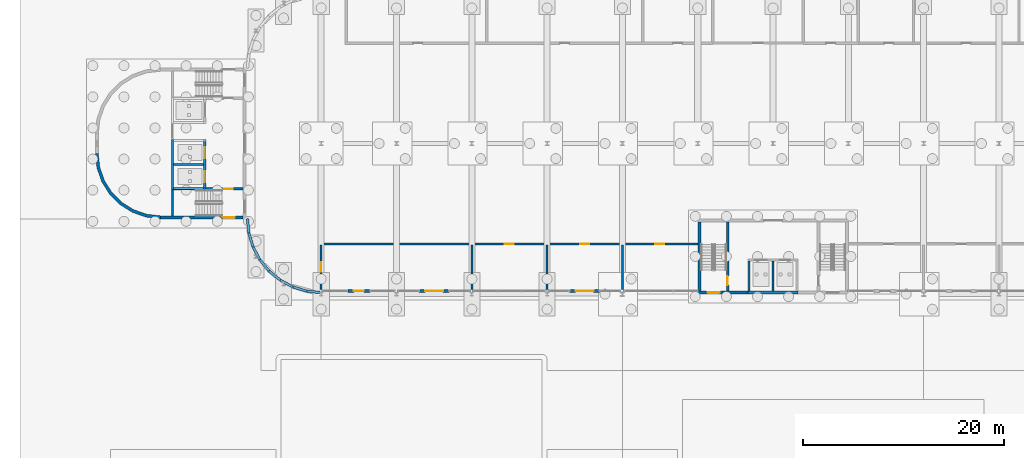
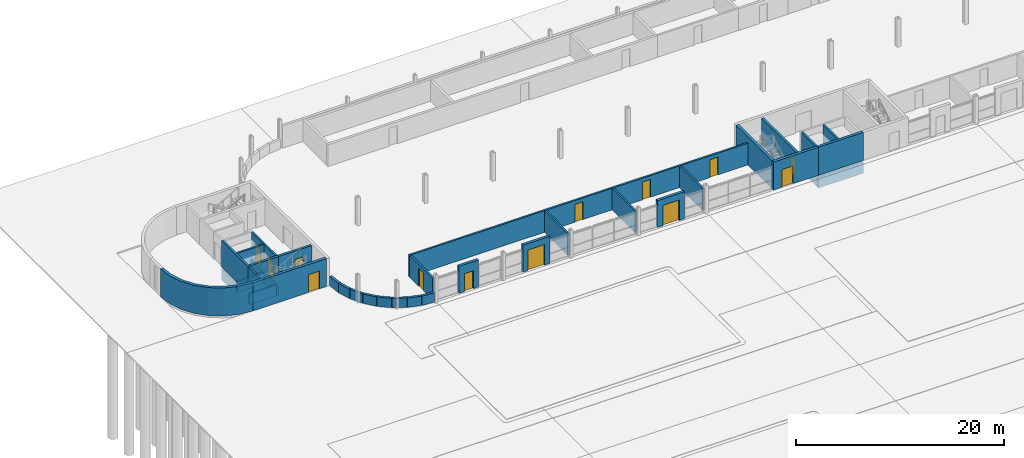
# One storey, part 84 of 130: 36 walls, 13 doors, 13 openings.
"""IFC4 building model written with IfcOpenShell, lengths in metres."""

from ifc_helpers import new_model, si_unit, direction, frame, frame_2d, origin, place, context, subcontext, project, spatial, polyline, rectangle, outline, extrude, material, layer, layer_set, type_object, element, fill, save


model = new_model("IFC4")

# Units and contexts
model_context = context("Model", 3, precision=1e-05, world=origin(), true_north=direction((0.0, 1.0)))
body_context = subcontext(model_context, "Body", "Model", "MODEL_VIEW")
ifc_project = project(units=[si_unit("LENGTHUNIT", "METRE"), si_unit("AREAUNIT", "SQUARE_METRE"), si_unit("VOLUMEUNIT", "CUBIC_METRE"), si_unit("PLANEANGLEUNIT", "RADIAN"), si_unit("MASSUNIT", "GRAM", prefix="KILO")], contexts=[model_context])

# Site, building, storey
site_placement = place(None, origin())
site = spatial("IfcSite", under=ifc_project, at=site_placement, CompositionType="ELEMENT")
building_placement = place(site_placement, origin())
building = spatial("IfcBuilding", under=site, at=building_placement, Name="Parallax Yard Mobility Hub", CompositionType="ELEMENT")
storey_placement = place(building_placement, origin())
storey = spatial("IfcBuildingStorey", under=building, at=storey_placement, Name="L00", CompositionType="ELEMENT", Elevation=0.0)

# Wall, opening, door
ifc_material_1 = material(Name="Concrete fc' 35 MPa", Category="concrete")
ifc_layer_1 = layer(ifc_material_1, 0.300048828125)
ifc_layer_set_1 = layer_set([ifc_layer_1], Name="Concrete fc' 35 MPa core wall 300")
wall_type_1 = type_object("IfcWallType", Name="Concrete fc' 35 MPa core wall 300", PredefinedType="SHEAR", material=ifc_layer_set_1)
wall_1_placement = place(storey_placement, frame((22.199951171875, 120.14990234375, 0.0), z_axis=(0.0, 0.0, 1.0), x_axis=(-1.0, 0.0, 0.0)))
wall_1 = element("IfcWall", 1, at=wall_1_placement, inside=storey, type_object=wall_type_1, Name="Core C-W west-side end wall level L00", PredefinedType="SHEAR", context=body_context, shape_type="SweptSolid", body=[
    extrude(rectangle(XDim=8.199951171875, YDim=0.300048828125, at=frame_2d((4.10009765625, 0.0))), origin(), (0.0, 0.0, 1.0), 3.300048828125),
])
opening_1_placement = place(wall_1_placement, frame((0.800048828125, 0.0, 0.0)))
opening_1 = element("IfcOpeningElement", 2, at=opening_1_placement, cuts=wall_1, Name="Opening L00-D709", PredefinedType="OPENING", context=body_context, shape_type="SweptSolid", body=[
    extrude(rectangle(XDim=1.199951171875, YDim=2.10009765625, at=frame_2d((0.60009765625, 1.050048828125))), frame((0.0, 0.16015625, 0.0), z_axis=(0.0, -1.0, 0.0), x_axis=(1.0, 0.0, 0.0)), (0.0, 0.0, 1.0), 0.320068359375),
])
ifc_material_2 = material(Name="Hollow metal steel door and frame", Category="steel")
door_type_1 = type_object("IfcDoorType", Name="Core door 1200 x 2100 FD90", OperationType="NOTDEFINED", PredefinedType="DOOR", material=ifc_material_2)
door_1_placement = place(opening_1_placement, origin())
door_1 = element("IfcDoor", 3, at=door_1_placement, inside=storey, type_object=door_type_1, Name="Stair exit door L00-D709, core C-W level L00", OperationType="SINGLE_SWING_RIGHT", OverallHeight=2.10009765625, OverallWidth=1.199951171875, PredefinedType="DOOR", context=body_context, shape_type="SweptSolid", body=[
    extrude(rectangle(XDim=1.199951171875, YDim=2.10009765625, at=frame_2d((0.60009765625, 1.050048828125))), frame((0.0, 0.02490234375, 0.0), z_axis=(0.0, -1.0, 0.0), x_axis=(1.0, 0.0, 0.0)), (0.0, 0.0, 1.0), 0.050048828125),
])
fill(opening_1, door_1)

# Walls
wall_2_placement = place(storey_placement, origin())
element("IfcWall", 4, at=wall_2_placement, inside=storey, type_object=wall_type_1, Name="Core C-W rounded corner west level L00", PredefinedType="SHEAR", context=body_context, shape_type="SweptSolid", body=[
    extrude(outline(polyline([(14.0, 120.0), (12.5537109375, 120.1630859375), (11.1796875, 120.643798828125), (9.947265625, 121.418212890625), (8.918212890625, 122.447265625), (8.143798828125, 123.6796875), (7.6630859375, 125.0537109375), (7.5, 126.5), (7.800048828125, 126.5), (7.955322265625, 125.120361328125), (8.4140625, 123.809814453125), (9.152587890625, 122.634521484375), (10.134521484375, 121.652587890625), (11.309814453125, 120.9140625), (12.620361328125, 120.455322265625), (14.0, 120.300048828125), (14.0, 120.0)])), origin(), (0.0, 0.0, 1.0), 3.300048828125),
])
wall_3_placement = place(storey_placement, frame((77.5, 112.64990234375, 0.0), z_axis=(0.0, 0.0, 1.0), x_axis=(-1.0, 0.0, 0.0)))
element("IfcWall", 5, at=wall_3_placement, inside=storey, type_object=wall_type_1, Name="Core C-N1 back wall part 2 level L00", PredefinedType="SHEAR", context=body_context, shape_type="SweptSolid", body=[
    extrude(rectangle(XDim=5.0, YDim=0.300048828125, at=frame_2d((2.5, 0.0))), origin(), (0.0, 0.0, 1.0), 3.300048828125),
])

# Wall, opening, door
wall_4_placement = place(storey_placement, frame((72.5, 112.64990234375, 0.0), z_axis=(0.0, 0.0, 1.0), x_axis=(-1.0, 0.0, 0.0)))
wall_4 = element("IfcWall", 6, at=wall_4_placement, inside=storey, type_object=wall_type_1, Name="Core C-N1 back wall part 3 level L00", PredefinedType="SHEAR", context=body_context, shape_type="SweptSolid", body=[
    extrude(rectangle(XDim=5.0, YDim=0.300048828125, at=frame_2d((2.5, 0.0))), origin(), (0.0, 0.0, 1.0), 3.300048828125),
])
opening_2_placement = place(wall_4_placement, frame((2.824951171875, 0.0, 0.0)))
opening_2 = element("IfcOpeningElement", 7, at=opening_2_placement, cuts=wall_4, Name="Opening L00-D717", PredefinedType="OPENING", context=body_context, shape_type="SweptSolid", body=[
    extrude(rectangle(XDim=1.199951171875, YDim=2.10009765625, at=frame_2d((0.60009765625, 1.050048828125))), frame((0.0, 0.16015625, 0.0), z_axis=(0.0, -1.0, 0.0), x_axis=(1.0, 0.0, 0.0)), (0.0, 0.0, 1.0), 0.320068359375),
])
door_2_placement = place(opening_2_placement, origin())
door_2 = element("IfcDoor", 8, at=door_2_placement, inside=storey, type_object=door_type_1, Name="Stair exit door L00-D717, core C-N1 level L00", OperationType="SINGLE_SWING_RIGHT", OverallHeight=2.10009765625, OverallWidth=1.199951171875, PredefinedType="DOOR", context=body_context, shape_type="SweptSolid", body=[
    extrude(rectangle(XDim=1.199951171875, YDim=2.10009765625, at=frame_2d((0.60009765625, 1.050048828125))), frame((0.0, 0.02490234375, 0.0), z_axis=(0.0, -1.0, 0.0), x_axis=(1.0, 0.0, 0.0)), (0.0, 0.0, 1.0), 0.050048828125),
])
fill(opening_2, door_2)

# Walls
wall_5_placement = place(storey_placement, frame((67.64990234375, 119.699951171875, 0.0), z_axis=(0.0, 0.0, 1.0), x_axis=(0.0, -1.0, 0.0)))
element("IfcWall", 9, at=wall_5_placement, inside=storey, type_object=wall_type_1, Name="Core C-N1 east-side end wall level L00", PredefinedType="SHEAR", context=body_context, shape_type="SweptSolid", body=[
    extrude(rectangle(XDim=6.89990234375, YDim=0.300048828125, at=frame_2d((3.449951171875, 0.0))), origin(), (0.0, 0.0, 1.0), 3.300048828125),
])
wall_6_placement = place(storey_placement, frame((77.5, 112.64990234375, -1.5), z_axis=(0.0, 0.0, 1.0), x_axis=(-1.0, 0.0, 0.0)))
element("IfcWall", 10, at=wall_6_placement, inside=storey, type_object=wall_type_1, Name="Core C-N1 lift pit wall back (shaft group 1)", PredefinedType="SHEAR", context=body_context, shape_type="SweptSolid", body=[
    extrude(rectangle(XDim=5.0, YDim=0.300048828125, at=frame_2d((2.5, 0.0))), origin(), (0.0, 0.0, 1.0), 1.300048828125),
])

# Wall, openings, doors
ifc_layer_2 = layer(ifc_material_1, 0.199951171875)
ifc_layer_set_2 = layer_set([ifc_layer_2], Name="Concrete fc' 35 MPa internal core wall 200")
wall_type_2 = type_object("IfcWallType", Name="Concrete fc' 35 MPa internal core wall 200", PredefinedType="STANDARD", material=ifc_layer_set_2)
wall_7_placement = place(storey_placement, frame((18.39990234375, 123.10009765625, 0.0), z_axis=(0.0, 0.0, 1.0), x_axis=(0.0, 1.0, 0.0)))
wall_7 = element("IfcWall", 11, at=wall_7_placement, inside=storey, type_object=wall_type_2, Name="Core C-W lift front 1 part 1 level L00", PredefinedType="STANDARD", context=body_context, shape_type="SweptSolid", body=[
    extrude(rectangle(XDim=4.599853515625, YDim=0.199951171875, at=frame_2d((2.2998046875, 0.0))), origin(), (0.0, 0.0, 1.0), 3.10009765625),
])
opening_3_placement = place(wall_7_placement, frame((0.550048828125, 0.0, 0.0)))
opening_3 = element("IfcOpeningElement", 12, at=opening_3_placement, cuts=wall_7, Name="Opening L00-D705", PredefinedType="OPENING", context=body_context, shape_type="SweptSolid", body=[
    extrude(rectangle(XDim=1.10009765625, YDim=2.10009765625, at=frame_2d((0.550048828125, 1.050048828125))), frame((0.0, 0.10986328125, 0.0), z_axis=(0.0, -1.0, 0.0), x_axis=(1.0, 0.0, 0.0)), (0.0, 0.0, 1.0), 0.219970703125),
])
opening_4_placement = place(wall_7_placement, frame((2.949951171875, 0.0, 0.0)))
opening_4 = element("IfcOpeningElement", 13, at=opening_4_placement, cuts=wall_7, Name="Opening L00-D706", PredefinedType="OPENING", context=body_context, shape_type="SweptSolid", body=[
    extrude(rectangle(XDim=1.10009765625, YDim=2.10009765625, at=frame_2d((0.550048828125, 1.050048828125))), frame((0.0, 0.10986328125, 0.0), z_axis=(0.0, -1.0, 0.0), x_axis=(1.0, 0.0, 0.0)), (0.0, 0.0, 1.0), 0.219970703125),
])
ifc_material_3 = material(Name="Stainless steel sliding door and frame", Category="steel")
door_type_2 = type_object("IfcDoorType", Name="Lift landing door 1100 x 2100 FD90", OperationType="DOUBLE_DOOR_SLIDING", PredefinedType="DOOR", material=ifc_material_3)
door_3_placement = place(opening_3_placement, origin())
door_3 = element("IfcDoor", 14, at=door_3_placement, inside=storey, type_object=door_type_2, Name="Lift landing door L00-D705, core C-W level L00", OperationType="DOUBLE_DOOR_SLIDING", OverallHeight=2.10009765625, OverallWidth=1.10009765625, PredefinedType="DOOR", context=body_context, shape_type="SweptSolid", body=[
    extrude(rectangle(XDim=1.10009765625, YDim=2.10009765625, at=frame_2d((0.550048828125, 1.050048828125))), frame((0.0, 0.02490234375, 0.0), z_axis=(0.0, -1.0, 0.0), x_axis=(1.0, 0.0, 0.0)), (0.0, 0.0, 1.0), 0.050048828125),
])
fill(opening_3, door_3)
door_4_placement = place(opening_4_placement, origin())
door_4 = element("IfcDoor", 15, at=door_4_placement, inside=storey, type_object=door_type_2, Name="Lift landing door L00-D706, core C-W level L00", OperationType="DOUBLE_DOOR_SLIDING", OverallHeight=2.10009765625, OverallWidth=1.10009765625, PredefinedType="DOOR", context=body_context, shape_type="SweptSolid", body=[
    extrude(rectangle(XDim=1.10009765625, YDim=2.10009765625, at=frame_2d((0.550048828125, 1.050048828125))), frame((0.0, 0.02490234375, 0.0), z_axis=(0.0, -1.0, 0.0), x_axis=(1.0, 0.0, 0.0)), (0.0, 0.0, 1.0), 0.050048828125),
])
fill(opening_4, door_4)

# Walls
wall_8_placement = place(storey_placement, frame((18.300048828125, 125.39990234375, 0.0), z_axis=(0.0, 0.0, 1.0), x_axis=(-1.0, 0.0, 0.0)))
element("IfcWall", 16, at=wall_8_placement, inside=storey, type_object=wall_type_2, Name="Core C-W lift wall 1 part 1 level L00", PredefinedType="STANDARD", context=body_context, shape_type="SweptSolid", body=[
    extrude(rectangle(XDim=3.0, YDim=0.199951171875, at=frame_2d((1.5, 0.0))), origin(), (0.0, 0.0, 1.0), 3.10009765625),
])
wall_9_placement = place(storey_placement, frame((15.199951171875, 120.300048828125, 0.0), z_axis=(0.0, 0.0, 1.0), x_axis=(0.0, 1.0, 0.0)))
element("IfcWall", 17, at=wall_9_placement, inside=storey, type_object=wall_type_2, Name="Core C-W plant wall 1 part 1 level L00", PredefinedType="STANDARD", context=body_context, shape_type="SweptSolid", body=[
    extrude(rectangle(XDim=2.550048828125, YDim=0.199951171875, at=frame_2d((1.27490234375, 0.0))), origin(), (0.0, 0.0, 1.0), 3.10009765625),
])
wall_10_placement = place(storey_placement, frame((15.199951171875, 122.85009765625, 0.0), z_axis=(0.0, 0.0, 1.0), x_axis=(0.0, 1.0, 0.0)))
element("IfcWall", 18, at=wall_10_placement, inside=storey, type_object=wall_type_2, Name="Core C-W plant wall 2 part 2 level L00", PredefinedType="STANDARD", context=body_context, shape_type="SweptSolid", body=[
    extrude(rectangle(XDim=5.0498046875, YDim=0.199951171875, at=frame_2d((2.52490234375, 0.0))), origin(), (0.0, 0.0, 1.0), 3.10009765625),
])
wall_11_placement = place(storey_placement, frame((18.39990234375, 122.89990234375, -1.5), z_axis=(0.0, 0.0, 1.0), x_axis=(0.0, 1.0, 0.0)))
element("IfcWall", 19, at=wall_11_placement, inside=storey, type_object=wall_type_2, Name="Core C-W lift pit wall front (shaft group 1)", PredefinedType="STANDARD", context=body_context, shape_type="SweptSolid", body=[
    extrude(rectangle(XDim=5.0, YDim=0.199951171875, at=frame_2d((2.5, 0.0))), origin(), (0.0, 0.0, 1.0), 1.300048828125),
])
for number, where, z_axis, x_axis, name in (
    (20, (18.300048828125, 123.0, -1.5), (0.0, 0.0, 1.0), (-1.0, 0.0, 0.0), "Core C-W lift pit wall side 1 (shaft group 1)"),
    (21, (18.300048828125, 125.39990234375, -1.5), (0.0, 0.0, 1.0), (-1.0, 0.0, 0.0), "Core C-W lift pit wall side 2 (shaft group 1)"),
):
    element("IfcWall", number, at=place(storey_placement, frame(where, z_axis=z_axis, x_axis=x_axis)), inside=storey, type_object=wall_type_2, Name=name, PredefinedType="STANDARD", context=body_context, shape_type="SweptSolid", body=[
        extrude(rectangle(XDim=3.0, YDim=0.199951171875, at=frame_2d((1.5, 0.0))), origin(), (0.0, 0.0, 1.0), 1.300048828125),
    ])
wall_12_placement = place(storey_placement, frame((15.199951171875, 122.89990234375, -1.5), z_axis=(0.0, 0.0, 1.0), x_axis=(0.0, 1.0, 0.0)))
element("IfcWall", 22, at=wall_12_placement, inside=storey, type_object=wall_type_2, Name="Core C-W lift pit wall back (shaft group 1)", PredefinedType="STANDARD", context=body_context, shape_type="SweptSolid", body=[
    extrude(rectangle(XDim=5.0, YDim=0.199951171875, at=frame_2d((2.5, 0.0))), origin(), (0.0, 0.0, 1.0), 1.300048828125),
])
for number, where, z_axis, x_axis, name in (
    (23, (75.0, 115.800048828125, 0.0), (0.0, 0.0, 1.0), (0.0, -1.0, 0.0), "Core C-N1 lift wall 2 part 2 level L00"),
    (24, (72.60009765625, 115.800048828125, 0.0), (0.0, 0.0, 1.0), (0.0, -1.0, 0.0), "Core C-N1 lift wall 3 part 3 level L00"),
):
    element("IfcWall", number, at=place(storey_placement, frame(where, z_axis=z_axis, x_axis=x_axis)), inside=storey, type_object=wall_type_2, Name=name, PredefinedType="STANDARD", context=body_context, shape_type="SweptSolid", body=[
        extrude(rectangle(XDim=3.0, YDim=0.199951171875, at=frame_2d((1.5, 0.0))), origin(), (0.0, 0.0, 1.0), 3.10009765625),
    ])
wall_13_placement = place(storey_placement, frame((72.60009765625, 115.800048828125, -1.5), z_axis=(0.0, 0.0, 1.0), x_axis=(0.0, -1.0, 0.0)))
element("IfcWall", 25, at=wall_13_placement, inside=storey, type_object=wall_type_2, Name="Core C-N1 lift pit wall side 3 (shaft group 1)", PredefinedType="STANDARD", context=body_context, shape_type="SweptSolid", body=[
    extrude(rectangle(XDim=3.0, YDim=0.199951171875, at=frame_2d((1.5, 0.0))), origin(), (0.0, 0.0, 1.0), 1.300048828125),
])

# Wall, opening, door
ifc_layer_3 = layer(ifc_material_1, 0.25)
ifc_layer_set_3 = layer_set([ifc_layer_3], Name="Concrete fc' 35 MPa stair enclosure wall 250")
wall_type_3 = type_object("IfcWallType", Name="Concrete fc' 35 MPa stair enclosure wall 250", PredefinedType="STANDARD", material=ifc_layer_set_3)
wall_14_placement = place(storey_placement, frame((22.199951171875, 122.97509765625, 0.0), z_axis=(0.0, 0.0, 1.0), x_axis=(-1.0, 0.0, 0.0)))
wall_14 = element("IfcWall", 26, at=wall_14_placement, inside=storey, type_object=wall_type_3, Name="Core C-W stair 1 partition 1 part 1 level L00", PredefinedType="STANDARD", context=body_context, shape_type="SweptSolid", body=[
    extrude(rectangle(XDim=3.699951171875, YDim=0.25, at=frame_2d((1.85009765625, 0.0))), origin(), (0.0, 0.0, 1.0), 3.10009765625),
])
opening_5_placement = place(wall_14_placement, frame((1.0, 0.0, 0.0)))
opening_5 = element("IfcOpeningElement", 27, at=opening_5_placement, cuts=wall_14, Name="Opening L00-D703", PredefinedType="OPENING", context=body_context, shape_type="SweptSolid", body=[
    extrude(rectangle(XDim=0.89990234375, YDim=2.10009765625, at=frame_2d((0.449951171875, 1.050048828125))), frame((0.0, 0.135009765625, 0.0), z_axis=(0.0, -1.0, 0.0), x_axis=(1.0, 0.0, 0.0)), (0.0, 0.0, 1.0), 0.27001953125),
])
door_type_3 = type_object("IfcDoorType", Name="Core door 900 x 2100 FD90", OperationType="NOTDEFINED", PredefinedType="DOOR", material=ifc_material_2)
door_5_placement = place(opening_5_placement, origin())
door_5 = element("IfcDoor", 28, at=door_5_placement, inside=storey, type_object=door_type_3, Name="Stair lobby door L00-D703, core C-W level L00", OperationType="SINGLE_SWING_LEFT", OverallHeight=2.10009765625, OverallWidth=0.89990234375, PredefinedType="DOOR", context=body_context, shape_type="SweptSolid", body=[
    extrude(rectangle(XDim=0.89990234375, YDim=2.10009765625, at=frame_2d((0.449951171875, 1.050048828125))), frame((0.0, 0.02490234375, 0.0), z_axis=(0.0, -1.0, 0.0), x_axis=(1.0, 0.0, 0.0)), (0.0, 0.0, 1.0), 0.050048828125),
])
fill(opening_5, door_5)

# Wall
wall_15_placement = place(storey_placement, frame((18.5, 122.97509765625, 0.0), z_axis=(0.0, 0.0, 1.0), x_axis=(-1.0, 0.0, 0.0)))
element("IfcWall", 29, at=wall_15_placement, inside=storey, type_object=wall_type_3, Name="Core C-W stair 1 partition 2 part 2 level L00", PredefinedType="STANDARD", context=body_context, shape_type="SweptSolid", body=[
    extrude(rectangle(XDim=3.199951171875, YDim=0.25, at=frame_2d((1.60009765625, 0.0))), origin(), (0.0, 0.0, 1.0), 3.10009765625),
])

# Wall, opening, door
wall_16_placement = place(storey_placement, frame((70.47509765625, 112.800048828125, 0.0), z_axis=(0.0, 0.0, 1.0), x_axis=(0.0, 1.0, 0.0)))
wall_16 = element("IfcWall", 30, at=wall_16_placement, inside=storey, type_object=wall_type_3, Name="Core C-N1 stair 2 partition level L00", PredefinedType="STANDARD", context=body_context, shape_type="SweptSolid", body=[
    extrude(rectangle(XDim=6.89990234375, YDim=0.25, at=frame_2d((3.449951171875, 0.0))), origin(), (0.0, 0.0, 1.0), 3.10009765625),
])
opening_6_placement = place(wall_16_placement, frame((0.60009765625, 0.0, 0.0)))
opening_6 = element("IfcOpeningElement", 31, at=opening_6_placement, cuts=wall_16, Name="Opening L00-D713", PredefinedType="OPENING", context=body_context, shape_type="SweptSolid", body=[
    extrude(rectangle(XDim=0.89990234375, YDim=2.10009765625, at=frame_2d((0.449951171875, 1.050048828125))), frame((0.0, 0.135009765625, 0.0), z_axis=(0.0, -1.0, 0.0), x_axis=(1.0, 0.0, 0.0)), (0.0, 0.0, 1.0), 0.27001953125),
])
door_6_placement = place(opening_6_placement, origin())
door_6 = element("IfcDoor", 32, at=door_6_placement, inside=storey, type_object=door_type_3, Name="Stair lobby door L00-D713, core C-N1 level L00", OperationType="SINGLE_SWING_RIGHT", OverallHeight=2.10009765625, OverallWidth=0.89990234375, PredefinedType="DOOR", context=body_context, shape_type="SweptSolid", body=[
    extrude(rectangle(XDim=0.89990234375, YDim=2.10009765625, at=frame_2d((0.449951171875, 1.050048828125))), frame((0.0, 0.02490234375, 0.0), z_axis=(0.0, -1.0, 0.0), x_axis=(1.0, 0.0, 0.0)), (0.0, 0.0, 1.0), 0.050048828125),
])
fill(opening_6, door_6)

# Walls
ifc_layer_4 = layer(ifc_material_1, 0.25)
ifc_layer_set_4 = layer_set([ifc_layer_4], Name="Deck-edge barrier wall, Concrete fc' 35 MPa precast, 250")
wall_type_4 = type_object("IfcWallType", Name="Deck-edge barrier wall, Concrete fc' 35 MPa precast, 250", PredefinedType="SOLIDWALL", material=ifc_layer_set_4)
wall_17_placement = place(storey_placement, frame((22.651123046875, 120.009765625, 0.0), z_axis=(0.0, 0.0, 1.0), x_axis=(0.098664443357, -0.995120760319, 0.0)))
element("IfcWall", 33, at=wall_17_placement, inside=storey, type_object=wall_type_4, Name="Deck-edge barrier wall bay 72-1 level L00", PredefinedType="SOLIDWALL", context=body_context, shape_type="SweptSolid", body=[
    extrude(rectangle(XDim=1.440185546875, YDim=0.25, at=frame_2d((0.72021484375, 0.0))), origin(), (0.0, 0.0, 1.0), 1.10009765625),
])
wall_18_placement = place(storey_placement, frame((22.798828125, 118.548583984375, 0.0), z_axis=(0.0, 0.0, 1.0), x_axis=(0.290679627319, -0.956820439927, 0.0)))
element("IfcWall", 34, at=wall_18_placement, inside=storey, type_object=wall_type_4, Name="Deck-edge barrier wall bay 72-2 level L00", PredefinedType="SOLIDWALL", context=body_context, shape_type="SweptSolid", body=[
    extrude(rectangle(XDim=1.4111328125, YDim=0.25, at=frame_2d((0.70556640625, 0.0))), origin(), (0.0, 0.0, 1.0), 1.10009765625),
])
wall_19_placement = place(storey_placement, frame((23.22021484375, 117.172119140625, 0.0), z_axis=(0.0, 0.0, 1.0), x_axis=(0.471683538305, -0.881767905796, 0.0)))
element("IfcWall", 35, at=wall_19_placement, inside=storey, type_object=wall_type_4, Name="Deck-edge barrier wall bay 72-3 level L00", PredefinedType="SOLIDWALL", context=body_context, shape_type="SweptSolid", body=[
    extrude(rectangle(XDim=1.410888671875, YDim=0.25, at=frame_2d((0.70556640625, 0.0))), origin(), (0.0, 0.0, 1.0), 1.10009765625),
])
wall_20_placement = place(storey_placement, frame((23.901611328125, 115.904296875, 0.0), z_axis=(0.0, 0.0, 1.0), x_axis=(0.634602902421, -0.772838376531, 0.0)))
element("IfcWall", 36, at=wall_20_placement, inside=storey, type_object=wall_type_4, Name="Deck-edge barrier wall bay 72-4 level L00", PredefinedType="SOLIDWALL", context=body_context, shape_type="SweptSolid", body=[
    extrude(rectangle(XDim=1.4111328125, YDim=0.25, at=frame_2d((0.70556640625, 0.0))), origin(), (0.0, 0.0, 1.0), 1.10009765625),
])
for number, where, z_axis, x_axis, name in (
    (37, (24.8173828125, 114.793701171875, 0.0), (0.0, 0.0, 1.0), (0.773077721596, -0.634311308722, 0.0), "Deck-edge barrier wall bay 72-5 level L00"),
    (38, (25.93212890625, 113.8828125, 0.0), (0.0, 0.0, 1.0), (0.882022197163, -0.471207856165, 0.0), "Deck-edge barrier wall bay 72-6 level L00"),
):
    element("IfcWall", number, at=place(storey_placement, frame(where, z_axis=z_axis, x_axis=x_axis)), inside=storey, type_object=wall_type_4, Name=name, PredefinedType="SOLIDWALL", context=body_context, shape_type="SweptSolid", body=[
        extrude(rectangle(XDim=1.410888671875, YDim=0.25, at=frame_2d((0.70556640625, 0.0))), origin(), (0.0, 0.0, 1.0), 1.10009765625),
    ])
wall_21_placement = place(storey_placement, frame((27.203125, 113.20703125, 0.0), z_axis=(0.0, 0.0, 1.0), x_axis=(0.956979282244, -0.290156256793, 0.0)))
element("IfcWall", 39, at=wall_21_placement, inside=storey, type_object=wall_type_4, Name="Deck-edge barrier wall bay 72-7 level L00", PredefinedType="SOLIDWALL", context=body_context, shape_type="SweptSolid", body=[
    extrude(rectangle(XDim=1.4111328125, YDim=0.25, at=frame_2d((0.70556640625, 0.0))), origin(), (0.0, 0.0, 1.0), 1.10009765625),
])
wall_22_placement = place(storey_placement, frame((28.58154296875, 112.7919921875, 0.0), z_axis=(0.0, 0.0, 1.0), x_axis=(0.995171399928, -0.098152354868, 0.0)))
element("IfcWall", 40, at=wall_22_placement, inside=storey, type_object=wall_type_4, Name="Deck-edge barrier wall bay 72-8 level L00", PredefinedType="SOLIDWALL", context=body_context, shape_type="SweptSolid", body=[
    extrude(rectangle(XDim=1.305908203125, YDim=0.25, at=frame_2d((0.65283203125, 0.0))), origin(), (0.0, 0.0, 1.0), 1.10009765625),
])

# Wall, opening, door
ifc_layer_5 = layer(ifc_material_1, 0.300048828125)
ifc_layer_set_5 = layer_set([ifc_layer_5], Name="Entrance portal wall, Concrete fc' 35 MPa precast, 300")
wall_type_5 = type_object("IfcWallType", Name="Entrance portal wall, Concrete fc' 35 MPa precast, 300", PredefinedType="SOLIDWALL", material=ifc_layer_set_5)
wall_23_placement = place(storey_placement, frame((32.65087890625, 112.800048828125, 0.0), z_axis=(0.0, 0.0, 1.0), x_axis=(1.0, 0.0, 0.0)))
wall_23 = element("IfcWall", 41, at=wall_23_placement, inside=storey, type_object=wall_type_5, Name="Staff entrance portal wall bay 1 level L00", PredefinedType="SOLIDWALL", context=body_context, shape_type="SweptSolid", body=[
    extrude(rectangle(XDim=2.19970703125, YDim=0.300048828125, at=frame_2d((1.099853515625, 0.0))), origin(), (0.0, 0.0, 1.0), 3.159912109375),
])
opening_7_placement = place(wall_23_placement, frame((0.60009765625, 0.0, 0.0)))
opening_7 = element("IfcOpeningElement", 42, at=opening_7_placement, cuts=wall_23, Name="Opening L00-D001", PredefinedType="OPENING", context=body_context, shape_type="SweptSolid", body=[
    extrude(rectangle(XDim=1.0, YDim=2.10009765625, at=frame_2d((0.5, 1.050048828125))), frame((0.0, 0.16015625, 0.0), z_axis=(0.0, -1.0, 0.0), x_axis=(1.0, 0.0, 0.0)), (0.0, 0.0, 1.0), 0.320068359375),
])
ifc_material_4 = material(Name="Aluminium framed glazed door", Category="aluminium")
door_type_4 = type_object("IfcDoorType", Name="Staff entrance door, single leaf 1000 x 2100", OperationType="NOTDEFINED", PredefinedType="DOOR", material=ifc_material_4)
door_7_placement = place(opening_7_placement, origin())
door_7 = element("IfcDoor", 43, at=door_7_placement, inside=storey, type_object=door_type_4, Name="Staff entrance door L00-D001", OperationType="SINGLE_SWING_RIGHT", OverallHeight=2.10009765625, OverallWidth=1.0, PredefinedType="DOOR", context=body_context, shape_type="SweptSolid", body=[
    extrude(rectangle(XDim=1.0, YDim=2.10009765625, at=frame_2d((0.5, 1.050048828125))), frame((0.0, 0.02490234375, 0.0), z_axis=(0.0, -1.0, 0.0), x_axis=(1.0, 0.0, 0.0)), (0.0, 0.0, 1.0), 0.050048828125),
])
fill(opening_7, door_7)

wall_24_placement = place(storey_placement, frame((39.75, 112.800048828125, 0.0), z_axis=(0.0, 0.0, 1.0), x_axis=(1.0, 0.0, 0.0)))
wall_24 = element("IfcWall", 44, at=wall_24_placement, inside=storey, type_object=wall_type_5, Name="Entrance portal wall bay 2 level L00", PredefinedType="SOLIDWALL", context=body_context, shape_type="SweptSolid", body=[
    extrude(rectangle(XDim=3.0, YDim=0.300048828125, at=frame_2d((1.5, 0.0))), origin(), (0.0, 0.0, 1.0), 3.159912109375),
])
opening_8_placement = place(wall_24_placement, frame((0.60009765625, 0.0, 0.0)))
opening_8 = element("IfcOpeningElement", 45, at=opening_8_placement, cuts=wall_24, Name="Opening L00-D002", PredefinedType="OPENING", context=body_context, shape_type="SweptSolid", body=[
    extrude(rectangle(XDim=1.800048828125, YDim=2.39990234375, at=frame_2d((0.89990234375, 1.199951171875))), frame((0.0, 0.16015625, 0.0), z_axis=(0.0, -1.0, 0.0), x_axis=(1.0, 0.0, 0.0)), (0.0, 0.0, 1.0), 0.320068359375),
])
door_type_5 = type_object("IfcDoorType", Name="Entrance door, double leaf swing 1800 x 2400", OperationType="DOUBLE_DOOR_DOUBLE_SWING", PredefinedType="DOOR", material=ifc_material_4)
door_8_placement = place(opening_8_placement, origin())
door_8 = element("IfcDoor", 46, at=door_8_placement, inside=storey, type_object=door_type_5, Name="Entrance door L00-D002", OperationType="DOUBLE_DOOR_DOUBLE_SWING", OverallHeight=2.39990234375, OverallWidth=1.800048828125, PredefinedType="DOOR", context=body_context, shape_type="SweptSolid", body=[
    extrude(rectangle(XDim=1.800048828125, YDim=2.39990234375, at=frame_2d((0.89990234375, 1.199951171875))), frame((0.0, 0.02490234375, 0.0), z_axis=(0.0, -1.0, 0.0), x_axis=(1.0, 0.0, 0.0)), (0.0, 0.0, 1.0), 0.050048828125),
])
fill(opening_8, door_8)

wall_25_placement = place(storey_placement, frame((54.728271484375, 112.800048828125, 0.0), z_axis=(0.0, 0.0, 1.0), x_axis=(1.0, 0.0, 0.0)))
wall_25 = element("IfcWall", 47, at=wall_25_placement, inside=storey, type_object=wall_type_5, Name="Entrance portal wall bay 4 level L00", PredefinedType="SOLIDWALL", context=body_context, shape_type="SweptSolid", body=[
    extrude(rectangle(XDim=3.0, YDim=0.300048828125, at=frame_2d((1.5, 0.0))), origin(), (0.0, 0.0, 1.0), 3.159912109375),
])
opening_9_placement = place(wall_25_placement, frame((0.60009765625, 0.0, 0.0)))
opening_9 = element("IfcOpeningElement", 48, at=opening_9_placement, cuts=wall_25, Name="Opening L00-D003", PredefinedType="OPENING", context=body_context, shape_type="SweptSolid", body=[
    extrude(rectangle(XDim=1.800048828125, YDim=2.39990234375, at=frame_2d((0.89990234375, 1.199951171875))), frame((0.0, 0.16015625, 0.0), z_axis=(0.0, -1.0, 0.0), x_axis=(1.0, 0.0, 0.0)), (0.0, 0.0, 1.0), 0.320068359375),
])
door_type_6 = type_object("IfcDoorType", Name="Entrance door, automatic sliding, double leaf 1800 x 2400", OperationType="DOUBLE_DOOR_SLIDING", PredefinedType="DOOR", material=ifc_material_4)
door_9_placement = place(opening_9_placement, origin())
door_9 = element("IfcDoor", 49, at=door_9_placement, inside=storey, type_object=door_type_6, Name="Entrance door L00-D003", OperationType="DOUBLE_DOOR_SLIDING", OverallHeight=2.39990234375, OverallWidth=1.800048828125, PredefinedType="DOOR", context=body_context, shape_type="SweptSolid", body=[
    extrude(rectangle(XDim=1.800048828125, YDim=2.39990234375, at=frame_2d((0.89990234375, 1.199951171875))), frame((0.0, 0.02490234375, 0.0), z_axis=(0.0, -1.0, 0.0), x_axis=(1.0, 0.0, 0.0)), (0.0, 0.0, 1.0), 0.050048828125),
])
fill(opening_9, door_9)

# Wall, openings, doors
ifc_material_5 = material(Name="Fire-rated plasterboard partition, two layers each side")
ifc_layer_6 = layer(ifc_material_5, 0.199951171875)
ifc_layer_set_6 = layer_set([ifc_layer_6], Name="Fire-rated partition 200 mm")
wall_type_6 = type_object("IfcWallType", Name="Fire-rated partition 200 mm", PredefinedType="PARTITIONING", material=ifc_layer_set_6)
wall_26_placement = place(storey_placement, frame((29.89990234375, 117.5, 0.0), z_axis=(0.0, 0.0, 1.0), x_axis=(1.0, 0.0, 0.0)))
wall_26 = element("IfcWall", 50, at=wall_26_placement, inside=storey, type_object=wall_type_6, Name="Partition 41 level L00", PredefinedType="PARTITIONING", context=body_context, shape_type="SweptSolid", body=[
    extrude(rectangle(XDim=37.60009765625, YDim=0.199951171875, at=frame_2d((18.800048828125, 0.0))), origin(), (0.0, 0.0, 1.0), 2.548095703125),
])
opening_10_placement = place(wall_26_placement, frame((18.375244140625, 0.0, 0.0)))
opening_10 = element("IfcOpeningElement", 51, at=opening_10_placement, cuts=wall_26, Name="Opening L00-D240", PredefinedType="OPENING", context=body_context, shape_type="SweptSolid", body=[
    extrude(rectangle(XDim=0.89990234375, YDim=2.10009765625, at=frame_2d((0.449951171875, 1.050048828125))), frame((0.0, 0.10986328125, 0.0), z_axis=(0.0, -1.0, 0.0), x_axis=(1.0, 0.0, 0.0)), (0.0, 0.0, 1.0), 0.219970703125),
])
opening_11_placement = place(wall_26_placement, frame((25.875244140625, 0.0, 0.0)))
opening_11 = element("IfcOpeningElement", 52, at=opening_11_placement, cuts=wall_26, Name="Opening L00-D241", PredefinedType="OPENING", context=body_context, shape_type="SweptSolid", body=[
    extrude(rectangle(XDim=0.89990234375, YDim=2.10009765625, at=frame_2d((0.449951171875, 1.050048828125))), frame((0.0, 0.10986328125, 0.0), z_axis=(0.0, -1.0, 0.0), x_axis=(1.0, 0.0, 0.0)), (0.0, 0.0, 1.0), 0.219970703125),
])
opening_12_placement = place(wall_26_placement, frame((33.375244140625, 0.0, 0.0)))
opening_12 = element("IfcOpeningElement", 53, at=opening_12_placement, cuts=wall_26, Name="Opening L00-D242", PredefinedType="OPENING", context=body_context, shape_type="SweptSolid", body=[
    extrude(rectangle(XDim=0.89990234375, YDim=2.10009765625, at=frame_2d((0.449951171875, 1.050048828125))), frame((0.0, 0.10986328125, 0.0), z_axis=(0.0, -1.0, 0.0), x_axis=(1.0, 0.0, 0.0)), (0.0, 0.0, 1.0), 0.219970703125),
])
ifc_material_6 = material(Name="Hollow metal fire door leaf with intumescent seals")
door_type_7 = type_object("IfcDoorType", Name="Fire door 900 mm FD60", OperationType="NOTDEFINED", PredefinedType="DOOR", material=ifc_material_6)
door_10_placement = place(opening_10_placement, origin())
door_10 = element("IfcDoor", 54, at=door_10_placement, inside=storey, type_object=door_type_7, Name="Door L00-D240 Mobility Information Desk", OperationType="SINGLE_SWING_RIGHT", OverallHeight=2.10009765625, OverallWidth=0.89990234375, PredefinedType="DOOR", context=body_context, shape_type="SweptSolid", body=[
    extrude(rectangle(XDim=0.89990234375, YDim=2.10009765625, at=frame_2d((0.449951171875, 1.050048828125))), frame((0.0, 0.02490234375, 0.0), z_axis=(0.0, -1.0, 0.0), x_axis=(1.0, 0.0, 0.0)), (0.0, 0.0, 1.0), 0.050048828125),
])
fill(opening_10, door_10)
door_11_placement = place(opening_11_placement, origin())
door_11 = element("IfcDoor", 55, at=door_11_placement, inside=storey, type_object=door_type_7, Name="Door L00-D241 Parcel Locker Hall", OperationType="SINGLE_SWING_RIGHT", OverallHeight=2.10009765625, OverallWidth=0.89990234375, PredefinedType="DOOR", context=body_context, shape_type="SweptSolid", body=[
    extrude(rectangle(XDim=0.89990234375, YDim=2.10009765625, at=frame_2d((0.449951171875, 1.050048828125))), frame((0.0, 0.02490234375, 0.0), z_axis=(0.0, -1.0, 0.0), x_axis=(1.0, 0.0, 0.0)), (0.0, 0.0, 1.0), 0.050048828125),
])
fill(opening_11, door_11)
door_12_placement = place(opening_12_placement, origin())
door_12 = element("IfcDoor", 56, at=door_12_placement, inside=storey, type_object=door_type_7, Name="Door L00-D242 Yard Entrance Lobby", OperationType="SINGLE_SWING_RIGHT", OverallHeight=2.10009765625, OverallWidth=0.89990234375, PredefinedType="DOOR", context=body_context, shape_type="SweptSolid", body=[
    extrude(rectangle(XDim=0.89990234375, YDim=2.10009765625, at=frame_2d((0.449951171875, 1.050048828125))), frame((0.0, 0.02490234375, 0.0), z_axis=(0.0, -1.0, 0.0), x_axis=(1.0, 0.0, 0.0)), (0.0, 0.0, 1.0), 0.050048828125),
])
fill(opening_12, door_12)

# Wall, opening, door
wall_27_placement = place(storey_placement, frame((30.0, 112.949951171875, 0.0), z_axis=(0.0, 0.0, 1.0), x_axis=(0.0, 1.0, 0.0)))
wall_27 = element("IfcWall", 57, at=wall_27_placement, inside=storey, type_object=wall_type_6, Name="Partition 64 level L00", PredefinedType="PARTITIONING", context=body_context, shape_type="SweptSolid", body=[
    extrude(rectangle(XDim=4.449951171875, YDim=0.199951171875, at=frame_2d((2.22509765625, 0.0))), origin(), (0.0, 0.0, 1.0), 2.548095703125),
])
opening_13_placement = place(wall_27_placement, frame((1.800048828125, 0.0, 0.0)))
opening_13 = element("IfcOpeningElement", 58, at=opening_13_placement, cuts=wall_27, Name="Opening L00-D238", PredefinedType="OPENING", context=body_context, shape_type="SweptSolid", body=[
    extrude(rectangle(XDim=0.89990234375, YDim=2.10009765625, at=frame_2d((0.449951171875, 1.050048828125))), frame((0.0, 0.10986328125, 0.0), z_axis=(0.0, -1.0, 0.0), x_axis=(1.0, 0.0, 0.0)), (0.0, 0.0, 1.0), 0.219970703125),
])
door_13_placement = place(opening_13_placement, origin())
door_13 = element("IfcDoor", 59, at=door_13_placement, inside=storey, type_object=door_type_7, Name="Door L00-D238 Shared-mobility Rental Counter", OperationType="SINGLE_SWING_RIGHT", OverallHeight=2.10009765625, OverallWidth=0.89990234375, PredefinedType="DOOR", context=body_context, shape_type="SweptSolid", body=[
    extrude(rectangle(XDim=0.89990234375, YDim=2.10009765625, at=frame_2d((0.449951171875, 1.050048828125))), frame((0.0, 0.02490234375, 0.0), z_axis=(0.0, -1.0, 0.0), x_axis=(1.0, 0.0, 0.0)), (0.0, 0.0, 1.0), 0.050048828125),
])
fill(opening_13, door_13)

# Walls
for number, where, z_axis, x_axis, name in (
    (60, (45.0, 112.949951171875, 0.0), (0.0, 0.0, 1.0), (0.0, 1.0, 0.0), "Partition 66 level L00"),
    (61, (52.5, 112.949951171875, 0.0), (0.0, 0.0, 1.0), (0.0, 1.0, 0.0), "Partition 68 level L00"),
    (62, (60.0, 112.949951171875, 0.0), (0.0, 0.0, 1.0), (0.0, 1.0, 0.0), "Partition 69 level L00"),
):
    element("IfcWall", number, at=place(storey_placement, frame(where, z_axis=z_axis, x_axis=x_axis)), inside=storey, type_object=wall_type_6, Name=name, PredefinedType="PARTITIONING", context=body_context, shape_type="SweptSolid", body=[
        extrude(rectangle(XDim=4.449951171875, YDim=0.199951171875, at=frame_2d((2.22509765625, 0.0))), origin(), (0.0, 0.0, 1.0), 2.548095703125),
    ])

save(model, "model.ifc")
